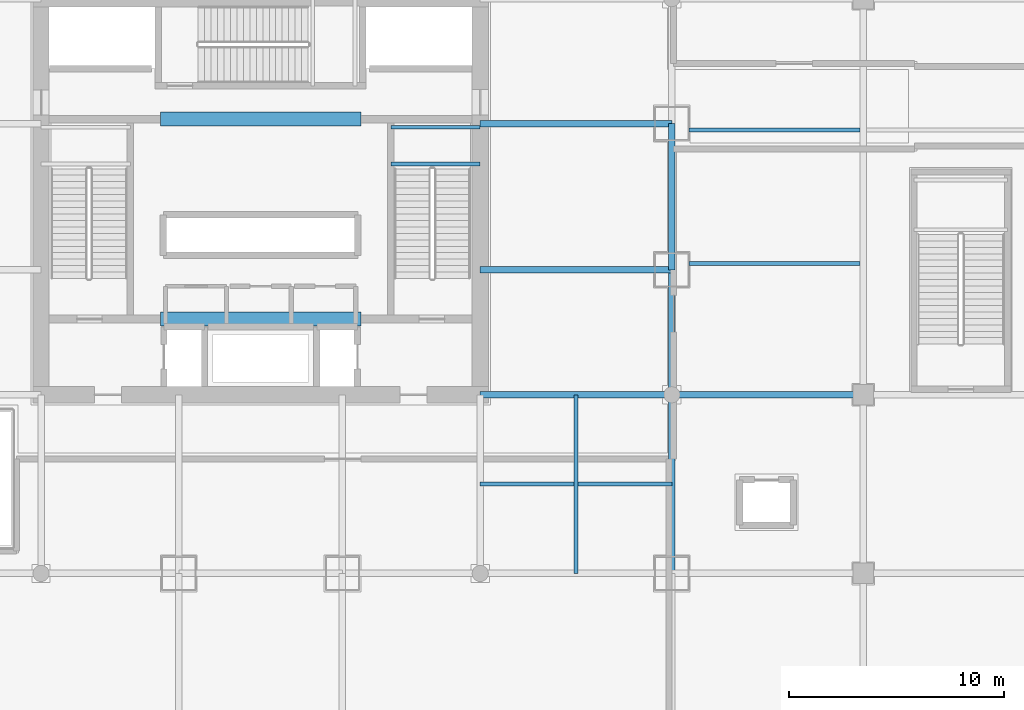
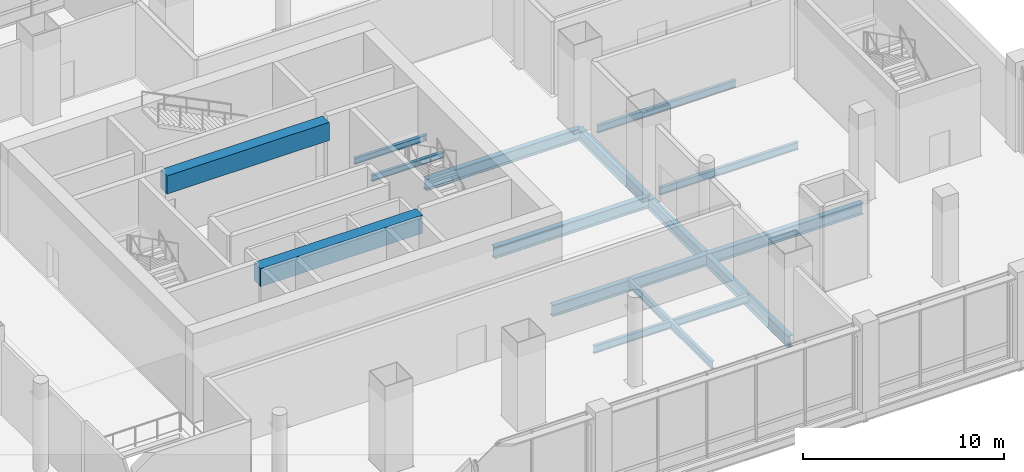
# One storey, part 9 of 39: 14 beams.
"""IFC4 building model written with IfcOpenShell, lengths in metres."""

import ifcopenshell
import ifcopenshell.guid

model = None  # the IFC model being written
_history = None  # IfcOwnerHistory: only IFC2X3 demands one
_inside = {}  # id of a spatial element -> (the spatial element, [elements in it])
_under = {}  # id of a project, library or spatial element -> (it, [spatial elements below it])
_declared = {}  # id of a project -> (the project, [libraries it declares])
_typed = {}  # id of a type object -> (the type object, [elements of that type])
_made_of = {}  # id of a material, layer set ... -> (it, [elements and type objects made of it])


def new_model(schema):
    """Start an empty IFC model of exactly this schema.

    Asked for "IFC4X3", IfcOpenShell would pick the latest addendum, in which some entities
    have other attributes; the version numbers below select the first issue.
    IFC2X3 requires an IfcOwnerHistory on every rooted entity: one is made here for all.
    """
    global model, _history
    if schema == "IFC4X3":
        model = ifcopenshell.file(schema_version=(4, 3, 0, 0))
    else:
        model = ifcopenshell.file(schema=schema)
    _inside.clear()
    _under.clear()
    _declared.clear()
    _typed.clear()
    _made_of.clear()
    _history = None
    if model.schema == "IFC2X3":
        org = make("IfcOrganization", Name="unknown")
        user = make(
            "IfcPersonAndOrganization",
            ThePerson=make("IfcPerson", FamilyName="unknown"),
            TheOrganization=org,
        )
        app = make(
            "IfcApplication",
            ApplicationDeveloper=org,
            Version="unknown",
            ApplicationFullName="unknown",
            ApplicationIdentifier="unknown",
        )
        _history = make(
            "IfcOwnerHistory",
            OwningUser=user,
            OwningApplication=app,
            ChangeAction="ADDED",
            CreationDate=0,
        )
    return model


def make(cls, **values):
    """One entity of the class cls with the attributes given. An attribute that is None is left unset."""
    return model.create_entity(
        cls, **{name: value for name, value in values.items() if value is not None}
    )


def rooted(cls, **values):
    """An entity with a GlobalId (a new one), such as an element, a storey or a relation."""
    return make(cls, GlobalId=ifcopenshell.guid.new(), OwnerHistory=_history, **values)


def si_unit(unit_type, name, prefix=None):
    """IfcSIUnit, for example si_unit("LENGTHUNIT", "METRE", prefix="MILLI")."""
    return make("IfcSIUnit", UnitType=unit_type, Prefix=prefix, Name=name)


def assignment(units):
    """IfcUnitAssignment: the units of a project."""
    return None if units is None else make("IfcUnitAssignment", Units=units)


def point(xyz):
    """IfcCartesianPoint."""
    return None if xyz is None else make("IfcCartesianPoint", Coordinates=xyz)


def direction(xyz):
    """IfcDirection."""
    return None if xyz is None else make("IfcDirection", DirectionRatios=xyz)


def frame(location, z_axis=None, x_axis=None):
    """IfcAxis2Placement3D, a coordinate frame: its origin and axes. An axis left out is left unset."""
    return make(
        "IfcAxis2Placement3D",
        Location=point(location),
        Axis=direction(z_axis),
        RefDirection=direction(x_axis),
    )


def frame_2d(location, x_axis=None):
    """IfcAxis2Placement2D, a coordinate frame in the plane: its origin and x axis."""
    return make(
        "IfcAxis2Placement2D", Location=point(location), RefDirection=direction(x_axis)
    )


def origin():
    """The frame at (0, 0, 0) with its axes left unset."""
    return frame((0.0, 0.0, 0.0))


def origin_2d():
    """The frame at (0, 0) in the plane with its x axis left unset."""
    return frame_2d((0.0, 0.0))


def place(relative_to, where):
    """IfcLocalPlacement: puts the frame where relative to a parent placement (None: the world)."""
    return make(
        "IfcLocalPlacement", PlacementRelTo=relative_to, RelativePlacement=where
    )


def context(
    kind, dimensions, precision=None, world=None, true_north=None, identifier=None
):
    """IfcGeometricRepresentationContext, for example the 3D "Model" context."""
    return make(
        "IfcGeometricRepresentationContext",
        ContextIdentifier=identifier,
        ContextType=kind,
        CoordinateSpaceDimension=dimensions,
        Precision=precision,
        WorldCoordinateSystem=world,
        TrueNorth=true_north,
    )


def subcontext(parent, identifier, kind, view, scale=None):
    """IfcGeometricRepresentationSubContext, for example "Body" below "Model"."""
    return make(
        "IfcGeometricRepresentationSubContext",
        ContextIdentifier=identifier,
        ContextType=kind,
        ParentContext=parent,
        TargetScale=scale,
        TargetView=view,
    )


def project(units=None, contexts=None):
    """IfcProject with its units and contexts."""
    return rooted(
        "IfcProject",
        Name="project",
        RepresentationContexts=contexts,
        UnitsInContext=assignment(units),
    )


def spatial(cls, under=None, at=None, **own):
    """A site, building, storey or space (cls), placed at a placement, below another one or the project."""
    s = rooted(cls, ObjectPlacement=at, **own)
    if under is not None:
        _under.setdefault(under.id(), (under, []))[1].append(s)
    return s


def profile(cls, at=None, kind="AREA", **sizes):
    """A parametric profile (cls). Its sizes go by their IFC names, for example OverallWidth=200.0."""
    return make(cls, ProfileType=kind, Position=at, **sizes)


def rectangle(**sizes):
    """IfcRectangleProfileDef."""
    return profile("IfcRectangleProfileDef", **sizes)


def i_section(**sizes):
    """IfcIShapeProfileDef."""
    return profile("IfcIShapeProfileDef", **sizes)


def extrude(swept, where, along, depth):
    """IfcExtrudedAreaSolid: the profile swept, set in the frame where, extruded along a direction by depth."""
    return make(
        "IfcExtrudedAreaSolid",
        SweptArea=swept,
        Position=where,
        ExtrudedDirection=direction(along),
        Depth=depth,
    )


def shape(context_of_items, identifier, shape_type, items):
    """IfcShapeRepresentation: the items that make up one representation, for example the "Body"."""
    return make(
        "IfcShapeRepresentation",
        ContextOfItems=context_of_items,
        RepresentationIdentifier=identifier,
        RepresentationType=shape_type,
        Items=items,
    )


def material(Name=None, Category=None):
    """IfcMaterial."""
    return make("IfcMaterial", Name=Name, Category=Category)


def material_profile(
    of_material, cross_section, Name=None, Category=None, Priority=None
):
    """IfcMaterialProfile: a cross section and its material."""
    return make(
        "IfcMaterialProfile",
        Name=Name,
        Material=of_material,
        Profile=cross_section,
        Priority=Priority,
        Category=Category,
    )


def profile_set(profiles, Name=None, composite=None):
    """IfcMaterialProfileSet."""
    return make(
        "IfcMaterialProfileSet",
        Name=Name,
        MaterialProfiles=profiles,
        CompositeProfile=composite,
    )


def made_of(thing, what):
    """Note that an element or type object is made of a material, layer set ...; save() writes the relation."""
    if what is not None:
        _made_of.setdefault(what.id(), (what, []))[1].append(thing)
    return thing


def type_object(cls, material=None, **own):
    """A type object (cls), such as IfcWallType, which elements share."""
    return made_of(rooted(cls, **own), material)


def element(
    cls,
    number,
    at=None,
    inside=None,
    cuts=None,
    type_object=None,
    material=None,
    context=None,
    identifier="Body",
    shape_type=None,
    held_by="IfcProductDefinitionShape",
    body=None,
    shapes=None,
    **own,
):
    """One element of the class cls, such as IfcWall. Its Tag is "e" and its number.

    at: its placement. inside: the storey or other place that contains it. cuts: it is an
    opening in that element (IfcRelVoidsElement). A single representation is given by context,
    identifier, shape_type and body (its items); several are given by shapes. held_by: the class
    of the entity that holds the representations. save() writes the other relations.
    """
    e = rooted(cls, Tag="e%d" % number, ObjectPlacement=at, **own)
    if body is not None:
        shapes = [shape(context, identifier, shape_type, body)]
    if shapes is not None:
        e.Representation = make(held_by, Representations=shapes)
    if inside is not None:
        _inside.setdefault(inside.id(), (inside, []))[1].append(e)
    if cuts is not None:
        rooted(
            "IfcRelVoidsElement", RelatingBuildingElement=cuts, RelatedOpeningElement=e
        )
    if type_object is not None:
        _typed.setdefault(type_object.id(), (type_object, []))[1].append(e)
    return made_of(e, material)


def aggregate(whole, parts):
    """IfcRelAggregates: a whole, such as a stair, and the parts it consists of."""
    return rooted("IfcRelAggregates", RelatingObject=whole, RelatedObjects=parts)


def save(model, path):
    """Write the relations noted so far, then the file.

    IfcRelAggregates (storeys below a building ...), IfcRelContainedInSpatialStructure (elements
    in a storey), IfcRelDefinesByType, IfcRelAssociatesMaterial and IfcRelDeclares: one each for
    every whole, place, type object, material and project.
    """
    for whole, parts in _under.values():
        aggregate(whole, parts)
    for where, things in _inside.values():
        rooted(
            "IfcRelContainedInSpatialStructure",
            RelatedElements=things,
            RelatingStructure=where,
        )
    for kind, things in _typed.values():
        rooted("IfcRelDefinesByType", RelatedObjects=things, RelatingType=kind)
    for what, things in _made_of.values():
        rooted("IfcRelAssociatesMaterial", RelatedObjects=things, RelatingMaterial=what)
    for by, libraries in _declared.values():
        rooted("IfcRelDeclares", RelatingContext=by, RelatedDefinitions=libraries)
    model.write(path)


model = new_model("IFC4")

# Units and contexts
model_context = context("Model", 3, precision=1e-05, world=origin(), true_north=direction((0.0, 1.0)))
body_context = subcontext(model_context, "Body", "Model", "MODEL_VIEW")
ifc_project = project(units=[si_unit("LENGTHUNIT", "METRE"), si_unit("AREAUNIT", "SQUARE_METRE"), si_unit("VOLUMEUNIT", "CUBIC_METRE"), si_unit("PLANEANGLEUNIT", "RADIAN"), si_unit("MASSUNIT", "GRAM", prefix="KILO")], contexts=[model_context])

# Site, building, storey
site_placement = place(None, origin())
site = spatial("IfcSite", under=ifc_project, at=site_placement, CompositionType="ELEMENT")
building_placement = place(site_placement, origin())
building = spatial("IfcBuilding", under=site, at=building_placement, Name="Punatoya Terracotta Tower", CompositionType="ELEMENT")
storey_placement = place(building_placement, frame((0.0, 0.0, 11.39990234375)))
storey = spatial("IfcBuildingStorey", under=building, at=storey_placement, Name="L02", CompositionType="ELEMENT", Elevation=11.39990234375)

# Beams
ifc_material_1 = material(Name="Steel S355", Category="steel")
ifc_material_profile_1 = material_profile(ifc_material_1, i_section(OverallWidth=0.300048828125, OverallDepth=0.699951171875, WebThickness=0.01708984375, FlangeThickness=0.031982421875, FilletRadius=0.01806640625, at=origin_2d()))
ifc_profile_set_1 = profile_set([ifc_material_profile_1], Name="Steel S355")
beam_type_1 = type_object("IfcBeamType", Name="BM-PRI-700", PredefinedType="BEAM", material=ifc_profile_set_1)
beam_1_placement = place(storey_placement, frame((19.10009765625, -17.5, -0.6298828125), z_axis=(0.0, 1.0, 0.0), x_axis=(-1.0, 0.0, 0.0)))
element("IfcBeam", 1, at=beam_1_placement, inside=storey, type_object=beam_type_1, Name="BM-L02-RG-E1", PredefinedType="BEAM", context=body_context, shape_type="SweptSolid", body=[
    extrude(i_section(OverallWidth=0.300048828125, OverallDepth=0.699951171875, WebThickness=0.01708984375, FlangeThickness=0.031982421875, FilletRadius=0.01806640625, at=origin_2d()), origin(), (0.0, 0.0, 1.0), 14.10009765625),
])
beam_2_placement = place(storey_placement, frame((19.10009765625, -3.39990234375, -0.6298828125), z_axis=(0.0, 1.0, 0.0), x_axis=(-1.0, 0.0, 0.0)))
element("IfcBeam", 2, at=beam_2_placement, inside=storey, type_object=beam_type_1, Name="BM-L02-RG-E2", PredefinedType="BEAM", context=body_context, shape_type="SweptSolid", body=[
    extrude(i_section(OverallWidth=0.300048828125, OverallDepth=0.699951171875, WebThickness=0.01708984375, FlangeThickness=0.031982421875, FilletRadius=0.01806640625, at=origin_2d()), origin(), (0.0, 0.0, 1.0), 6.7998046875),
])
for number, where, z_axis, x_axis, name in (
    (3, (10.199951171875, -9.199951171875, -0.6298828125), (1.0, 0.0, 0.0), (0.0, 1.0, 0.0), "BM-L02-PR-ES"),
    (4, (10.199951171875, -3.39990234375, -0.6298828125), (1.0, 0.0, 0.0), (0.0, 1.0, 0.0), "BM-L02-PR-ED"),
    (5, (10.199951171875, 3.39990234375, -0.6298828125), (1.0, 0.0, 0.0), (0.0, 1.0, 0.0), "BM-L02-PR-EE"),
):
    element("IfcBeam", number, at=place(storey_placement, frame(where, z_axis=z_axis, x_axis=x_axis)), inside=storey, type_object=beam_type_1, Name=name, PredefinedType="BEAM", context=body_context, shape_type="SweptSolid", body=[
        extrude(i_section(OverallWidth=0.300048828125, OverallDepth=0.699951171875, WebThickness=0.01708984375, FlangeThickness=0.031982421875, FilletRadius=0.01806640625, at=origin_2d()), origin(), (0.0, 0.0, 1.0), 8.900146484375),
    ])
beam_3_placement = place(storey_placement, frame((19.10009765625, -9.199951171875, -0.6298828125), z_axis=(1.0, 0.0, 0.0), x_axis=(0.0, 1.0, 0.0)))
element("IfcBeam", 6, at=beam_3_placement, inside=storey, type_object=beam_type_1, Name="BM-L02-CE1", PredefinedType="BEAM", context=body_context, shape_type="SweptSolid", body=[
    extrude(i_section(OverallWidth=0.300048828125, OverallDepth=0.699951171875, WebThickness=0.01708984375, FlangeThickness=0.031982421875, FilletRadius=0.01806640625, at=origin_2d()), origin(), (0.0, 0.0, 1.0), 8.89990234375),
])
ifc_material_2 = material(Name="Concrete C60/75", Category="concrete")
ifc_material_profile_2 = material_profile(ifc_material_2, rectangle(XDim=0.64990234375, YDim=1.10009765625, at=origin_2d()))
ifc_profile_set_2 = profile_set([ifc_material_profile_2], Name="Concrete C60/75")
beam_type_2 = type_object("IfcBeamType", Name="BM-RC-1100", PredefinedType="LINTEL", material=ifc_profile_set_2)
for number, where, z_axis, x_axis, name in (
    (7, (-4.64990234375, -5.679931640625, 4.570068359375), (1.0, 0.0, 0.0), (0.0, 1.0, 0.0), "L02 Core Coupling Lintel CSW"),
    (8, (-4.64990234375, 3.60009765625, 4.570068359375), (1.0, 0.0, 0.0), (0.0, 1.0, 0.0), "L02 Core Coupling Lintel CNW"),
):
    element("IfcBeam", number, at=place(storey_placement, frame(where, z_axis=z_axis, x_axis=x_axis)), inside=storey, type_object=beam_type_2, Name=name, PredefinedType="LINTEL", context=body_context, shape_type="SweptSolid", body=[
        extrude(rectangle(XDim=0.64990234375, YDim=1.10009765625, at=origin_2d()), origin(), (0.0, 0.0, 1.0), 9.2998046875),
    ])
ifc_material_profile_3 = material_profile(ifc_material_1, i_section(OverallWidth=0.169921875, OverallDepth=0.360107421875, WebThickness=0.008056640625, FlangeThickness=0.0126953125, FilletRadius=0.01806640625, at=origin_2d()))
ifc_profile_set_3 = profile_set([ifc_material_profile_3], Name="Steel S355")
beam_type_3 = type_object("IfcBeamType", Name="BM-SEC-360", PredefinedType="JOIST", material=ifc_profile_set_3)
for number, where, z_axis, x_axis, name in (
    (9, (6.050048828125, 1.52001953125, 2.320068359375), (1.0, 0.0, 0.0), (0.0, 1.0, 0.0), "BM-L02-ST-2-LD1A"),
    (10, (6.050048828125, 3.22998046875, 2.320068359375), (1.0, 0.0, 0.0), (0.0, 1.0, 0.0), "BM-L02-ST-2-LD1B"),
):
    element("IfcBeam", number, at=place(storey_placement, frame(where, z_axis=z_axis, x_axis=x_axis)), inside=storey, type_object=beam_type_3, Name=name, PredefinedType="JOIST", context=body_context, shape_type="SweptSolid", body=[
        extrude(i_section(OverallWidth=0.169921875, OverallDepth=0.360107421875, WebThickness=0.008056640625, FlangeThickness=0.0126953125, FilletRadius=0.01806640625, at=origin_2d()), origin(), (0.0, 0.0, 1.0), 4.14990234375),
    ])
ifc_material_profile_4 = material_profile(ifc_material_1, i_section(OverallWidth=0.18994140625, OverallDepth=0.449951171875, WebThickness=0.009521484375, FlangeThickness=0.0146484375, FilletRadius=0.01806640625, at=origin_2d()))
ifc_profile_set_4 = profile_set([ifc_material_profile_4], Name="Steel S355")
beam_type_4 = type_object("IfcBeamType", Name="BM-SEC-450", PredefinedType="JOIST", material=ifc_profile_set_4)
beam_4_placement = place(storey_placement, frame((10.199951171875, -13.35009765625, -0.5048828125), z_axis=(1.0, 0.0, 0.0), x_axis=(0.0, 1.0, 0.0)))
element("IfcBeam", 11, at=beam_4_placement, inside=storey, type_object=beam_type_4, Name="BM-L02-SJS-2", PredefinedType="JOIST", context=body_context, shape_type="SweptSolid", body=[
    extrude(i_section(OverallWidth=0.18994140625, OverallDepth=0.449951171875, WebThickness=0.009521484375, FlangeThickness=0.0146484375, FilletRadius=0.01806640625, at=origin_2d()), origin(), (0.0, 0.0, 1.0), 8.900146484375),
])
beam_5_placement = place(storey_placement, frame((14.64990234375, -17.5, -0.5048828125), z_axis=(0.0, 1.0, 0.0), x_axis=(-1.0, 0.0, 0.0)))
element("IfcBeam", 12, at=beam_5_placement, inside=storey, type_object=beam_type_4, Name="BM-L02-SJE-1", PredefinedType="JOIST", context=body_context, shape_type="SweptSolid", body=[
    extrude(i_section(OverallWidth=0.18994140625, OverallDepth=0.449951171875, WebThickness=0.009521484375, FlangeThickness=0.0146484375, FilletRadius=0.01806640625, at=origin_2d()), origin(), (0.0, 0.0, 1.0), 8.300048828125),
])
for number, where, z_axis, x_axis, name in (
    (13, (19.89990234375, -3.10009765625, -0.5048828125), (1.0, 0.0, 0.0), (0.0, 1.0, 0.0), "BM-L02-WNGJ-E1--31"),
    (14, (19.89990234375, 3.10009765625, -0.5048828125), (1.0, 0.0, 0.0), (0.0, 1.0, 0.0), "BM-L02-WNGJ-E1-31"),
):
    element("IfcBeam", number, at=place(storey_placement, frame(where, z_axis=z_axis, x_axis=x_axis)), inside=storey, type_object=beam_type_4, Name=name, PredefinedType="JOIST", context=body_context, shape_type="SweptSolid", body=[
        extrude(i_section(OverallWidth=0.18994140625, OverallDepth=0.449951171875, WebThickness=0.009521484375, FlangeThickness=0.0146484375, FilletRadius=0.01806640625, at=origin_2d()), origin(), (0.0, 0.0, 1.0), 7.9501953125),
    ])

save(model, "model.ifc")
